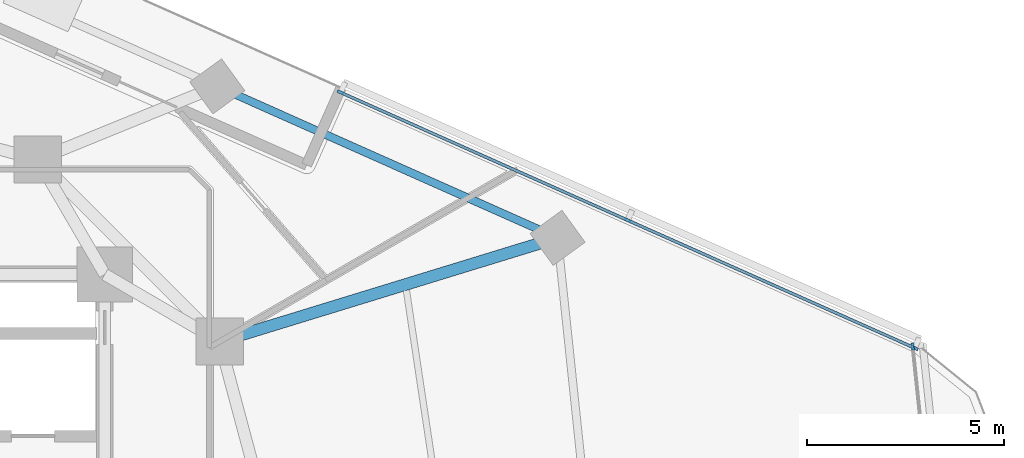
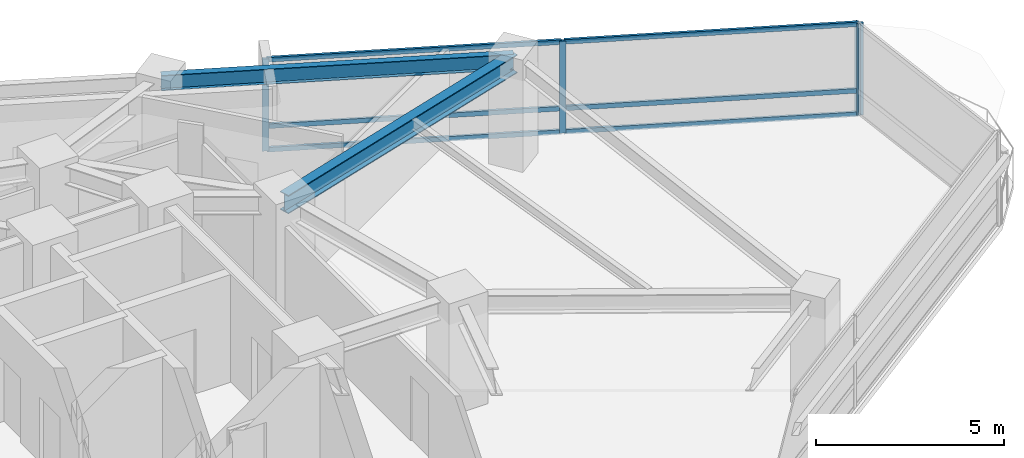
# One storey, part 6 of 14: 10 members, 2 beams, 2 elements without a shape of their own.
"""IFC4 building model written with IfcOpenShell, lengths in metres."""

from ifc_helpers import new_model, si_unit, direction, frame, origin, origin_2d, place, context, subcontext, project, spatial, rectangle, i_section, extrude, material, layer, layer_set, material_profile, profile_set, type_object, element, aggregate, save


model = new_model("IFC4")

# Units and contexts
model_context = context("Model", 3, precision=1e-05, world=origin(), true_north=direction((0.0, 1.0)))
body_context = subcontext(model_context, "Body", "Model", "MODEL_VIEW")
ifc_project = project(units=[si_unit("LENGTHUNIT", "METRE"), si_unit("AREAUNIT", "SQUARE_METRE"), si_unit("VOLUMEUNIT", "CUBIC_METRE"), si_unit("PLANEANGLEUNIT", "RADIAN"), si_unit("MASSUNIT", "GRAM", prefix="KILO")], contexts=[model_context])

# Site, building, storey
site_placement = place(None, origin())
site = spatial("IfcSite", under=ifc_project, at=site_placement, CompositionType="ELEMENT")
building_placement = place(site_placement, origin())
building = spatial("IfcBuilding", under=site, at=building_placement, Name="Terralouvre Media Tower", CompositionType="ELEMENT")
storey_placement = place(building_placement, frame((0.0, 0.0, 176.800048828125)))
storey = spatial("IfcBuildingStorey", under=building, at=storey_placement, Name="L45", CompositionType="ELEMENT", Elevation=176.800048828125)

# Curtain wall, members
ifc_material_1 = material(Name="Low-iron laminated double glazing with solar-control coating", Category="glass")
ifc_layer_1 = layer(ifc_material_1, 0.1650390625, Name="Production Studio Tower Curtain Wall CW-03")
ifc_layer_set_1 = layer_set([ifc_layer_1], Name="Low-iron laminated double glazing with solar-control coating")
curtain_wall_type_1 = type_object("IfcCurtainWallType", Name="Production Studio Tower Curtain Wall CW-03", PredefinedType="NOTDEFINED", material=ifc_layer_set_1)
curtain_wall_1_placement = place(storey_placement, origin())
curtain_wall_1 = element("IfcCurtainWall", 1, at=curtain_wall_1_placement, inside=storey, type_object=curtain_wall_type_1, Name="L45 Left Flank Curtain Wall F1", PredefinedType="NOTDEFINED")
ifc_material_2 = material(Name="Anodised extruded aluminium 6063-T6", Category="aluminium")
ifc_material_profile_1 = material_profile(ifc_material_2, rectangle(XDim=0.074951171875, YDim=0.14990234375, at=origin_2d()), Name="ALU 75x150")
ifc_profile_set_1 = profile_set([ifc_material_profile_1], Name="Anodised extruded aluminium 6063-T6")
member_type_1 = type_object("IfcMemberType", Name="Curtain-Wall Horizontal Transom TR-150", PredefinedType="USERDEFINED", material=ifc_profile_set_1)
member_1_placement = place(storey_placement, frame((28.4892578125, 6.1494140625, 0.037353515625), z_axis=(-0.913539470234, 0.406750090748, 0.0), x_axis=(-0.406750090748, -0.913539470234, 0.0)))
member_1 = element("IfcMember", 2, at=member_1_placement, type_object=member_type_1, Name="CW-03 transom 1.1", ObjectType="TRANSOM", PredefinedType="USERDEFINED", context=body_context, shape_type="SweptSolid", body=[
    extrude(rectangle(XDim=0.074951171875, YDim=0.14990234375, at=origin_2d()), origin(), (0.0, 0.0, 1.0), 7.887451171875),
])
member_2_placement = place(storey_placement, frame((28.4892578125, 6.1494140625, 0.800048828125), z_axis=(-0.913539470234, 0.406750090748, 0.0), x_axis=(-0.406750090748, -0.913539470234, 0.0)))
member_2 = element("IfcMember", 3, at=member_2_placement, type_object=member_type_1, Name="CW-03 transom 1.2", ObjectType="TRANSOM", PredefinedType="USERDEFINED", context=body_context, shape_type="SweptSolid", body=[
    extrude(rectangle(XDim=0.074951171875, YDim=0.14990234375, at=origin_2d()), origin(), (0.0, 0.0, 1.0), 7.887451171875),
])
member_3_placement = place(storey_placement, frame((28.4892578125, 6.1494140625, 2.96240234375), z_axis=(-0.913539470234, 0.406750090748, 0.0), x_axis=(-0.406750090748, -0.913539470234, 0.0)))
member_3 = element("IfcMember", 4, at=member_3_placement, type_object=member_type_1, Name="CW-03 transom 1.3", ObjectType="TRANSOM", PredefinedType="USERDEFINED", context=body_context, shape_type="SweptSolid", body=[
    extrude(rectangle(XDim=0.074951171875, YDim=0.14990234375, at=origin_2d()), origin(), (0.0, 0.0, 1.0), 7.887451171875),
])
member_4_placement = place(storey_placement, frame((21.215087890625, 9.38818359375, 0.037353515625), z_axis=(-0.913550971507, 0.406724258508, 0.0), x_axis=(-0.406724258508, -0.913550971507, 0.0)))
member_4 = element("IfcMember", 5, at=member_4_placement, type_object=member_type_1, Name="CW-03 transom 2.1", ObjectType="TRANSOM", PredefinedType="USERDEFINED", context=body_context, shape_type="SweptSolid", body=[
    extrude(rectangle(XDim=0.074951171875, YDim=0.14990234375, at=origin_2d()), origin(), (0.0, 0.0, 1.0), 7.887451171875),
])
member_5_placement = place(storey_placement, frame((21.215087890625, 9.38818359375, 0.800048828125), z_axis=(-0.913550971507, 0.406724258508, 0.0), x_axis=(-0.406724258508, -0.913550971507, 0.0)))
member_5 = element("IfcMember", 6, at=member_5_placement, type_object=member_type_1, Name="CW-03 transom 2.2", ObjectType="TRANSOM", PredefinedType="USERDEFINED", context=body_context, shape_type="SweptSolid", body=[
    extrude(rectangle(XDim=0.074951171875, YDim=0.14990234375, at=origin_2d()), origin(), (0.0, 0.0, 1.0), 7.887451171875),
])
member_6_placement = place(storey_placement, frame((21.215087890625, 9.38818359375, 2.96240234375), z_axis=(-0.913550971507, 0.406724258508, 0.0), x_axis=(-0.406724258508, -0.913550971507, 0.0)))
member_6 = element("IfcMember", 7, at=member_6_placement, type_object=member_type_1, Name="CW-03 transom 2.3", ObjectType="TRANSOM", PredefinedType="USERDEFINED", context=body_context, shape_type="SweptSolid", body=[
    extrude(rectangle(XDim=0.074951171875, YDim=0.14990234375, at=origin_2d()), origin(), (0.0, 0.0, 1.0), 7.887451171875),
])
ifc_material_3 = material(Name="Anodised extruded aluminium 6063-T6", Category="aluminium")
ifc_material_profile_2 = material_profile(ifc_material_3, rectangle(XDim=0.074951171875, YDim=0.179931640625, at=origin_2d()), Name="ALU 75x180")
ifc_profile_set_2 = profile_set([ifc_material_profile_2], Name="Anodised extruded aluminium 6063-T6")
member_type_2 = type_object("IfcMemberType", Name="Curtain-Wall Vertical Mullion ML-180", PredefinedType="MULLION", material=ifc_profile_set_2)
member_7_placement = place(storey_placement, frame((28.5234375, 6.13427734375, 0.0), z_axis=(0.0, 0.0, 1.0), x_axis=(-0.406737006671, -0.913545295759, 0.0)))
member_7 = element("IfcMember", 8, at=member_7_placement, type_object=member_type_2, Name="CW-03 mullion 1", PredefinedType="MULLION", context=body_context, shape_type="SweptSolid", body=[
    extrude(rectangle(XDim=0.074951171875, YDim=0.179931640625, at=origin_2d()), origin(), (0.0, 0.0, 1.0), 3.0),
])
member_8_placement = place(storey_placement, frame((21.24951171875, 9.372802734375, 0.0), z_axis=(0.0, 0.0, 1.0), x_axis=(-0.406737006671, -0.913545295759, 0.0)))
member_8 = element("IfcMember", 9, at=member_8_placement, type_object=member_type_2, Name="CW-03 mullion 2", PredefinedType="MULLION", context=body_context, shape_type="SweptSolid", body=[
    extrude(rectangle(XDim=0.074951171875, YDim=0.179931640625, at=origin_2d()), origin(), (0.0, 0.0, 1.0), 3.0),
])
member_9_placement = place(storey_placement, frame((13.975341796875, 12.611572265625, 0.0), z_axis=(0.0, 0.0, 1.0), x_axis=(-0.406737006671, -0.913545295759, 0.0)))
member_9 = element("IfcMember", 10, at=member_9_placement, type_object=member_type_2, Name="CW-03 mullion 3", PredefinedType="MULLION", context=body_context, shape_type="SweptSolid", body=[
    extrude(rectangle(XDim=0.074951171875, YDim=0.179931640625, at=origin_2d()), origin(), (0.0, 0.0, 1.0), 3.0),
])
aggregate(curtain_wall_1, [member_7, member_8, member_9, member_1, member_2, member_3, member_4, member_5, member_6])

# Curtain wall, member
ifc_material_4 = material(Name="Low-iron laminated double glazing with solar-control coating", Category="glass")
ifc_layer_2 = layer(ifc_material_4, 0.1650390625, Name="Rounded Wind-Corner Curved Glazing CW-04")
ifc_layer_set_2 = layer_set([ifc_layer_2], Name="Low-iron laminated double glazing with solar-control coating")
curtain_wall_type_2 = type_object("IfcCurtainWallType", Name="Rounded Wind-Corner Curved Glazing CW-04", PredefinedType="NOTDEFINED", material=ifc_layer_set_2)
curtain_wall_2_placement = place(storey_placement, origin())
curtain_wall_2 = element("IfcCurtainWall", 11, at=curtain_wall_2_placement, inside=storey, type_object=curtain_wall_type_2, Name="L45 Rounded Wind-Corner Curtain Wall C1", PredefinedType="NOTDEFINED")
member_10_placement = place(storey_placement, frame((28.47119140625, 6.1767578125, 0.0), z_axis=(0.0, 0.0, 1.0), x_axis=(-0.994521891172, -0.10452850319, 0.0)))
member_10 = element("IfcMember", 12, at=member_10_placement, type_object=member_type_2, Name="CW-04 mullion 2", PredefinedType="MULLION", context=body_context, shape_type="SweptSolid", body=[
    extrude(rectangle(XDim=0.074951171875, YDim=0.179931640625, at=origin_2d()), origin(), (0.0, 0.0, 1.0), 3.0),
])
aggregate(curtain_wall_2, [member_10])

# Beams
ifc_material_5 = material(Name="Structural steel S355J2", Category="steel")
ifc_material_profile_3 = material_profile(ifc_material_5, i_section(OverallWidth=0.199951171875, OverallDepth=0.5, WebThickness=0.01025390625, FlangeThickness=0.01611328125, at=origin_2d()), Name="IPE 500")
ifc_profile_set_3 = profile_set([ifc_material_profile_3], Name="Structural steel S355J2")
beam_type_1 = type_object("IfcBeamType", Name="Perimeter Spandrel Beam SPB-500 (IPE 500)", PredefinedType="SPANDREL", material=ifc_profile_set_3)
beam_1_placement = place(storey_placement, frame((19.474365234375, 8.92626953125, 3.25), z_axis=(-0.913547937667, 0.406731072803, 0.0), x_axis=(-0.406731072803, -0.913547937667, 0.0)))
element("IfcBeam", 13, at=beam_1_placement, inside=storey, type_object=beam_type_1, Name="L45 Framing Beam BM-L45-PR07", PredefinedType="SPANDREL", context=body_context, shape_type="SweptSolid", body=[
    extrude(i_section(OverallWidth=0.199951171875, OverallDepth=0.5, WebThickness=0.01025390625, FlangeThickness=0.01611328125, at=origin_2d()), origin(), (0.0, 0.0, 1.0), 9.440185546875),
])
ifc_material_6 = material(Name="Structural steel S460M", Category="steel")
ifc_material_profile_4 = material_profile(ifc_material_6, i_section(OverallWidth=0.300048828125, OverallDepth=0.60009765625, WebThickness=0.015380859375, FlangeThickness=0.030029296875, at=origin_2d()), Name="HEB 600")
ifc_profile_set_4 = profile_set([ifc_material_profile_4], Name="Structural steel S460M")
beam_type_2 = type_object("IfcBeamType", Name="Primary Floor Girder B-HEB600 (HEB 600)", PredefinedType="BEAM", material=ifc_profile_set_4)
beam_2_placement = place(storey_placement, frame((10.911865234375, 6.300048828125, 3.199951171875), z_axis=(0.956042083717, 0.293229490606, 0.0), x_axis=(-0.293229490606, 0.956042083717, 0.0)))
element("IfcBeam", 14, at=beam_2_placement, inside=storey, type_object=beam_type_2, Name="L45 Framing Beam BM-L45-RD07", PredefinedType="BEAM", context=body_context, shape_type="SweptSolid", body=[
    extrude(i_section(OverallWidth=0.300048828125, OverallDepth=0.60009765625, WebThickness=0.015380859375, FlangeThickness=0.030029296875, at=origin_2d()), origin(), (0.0, 0.0, 1.0), 8.956298828125),
])

save(model, "model.ifc")
